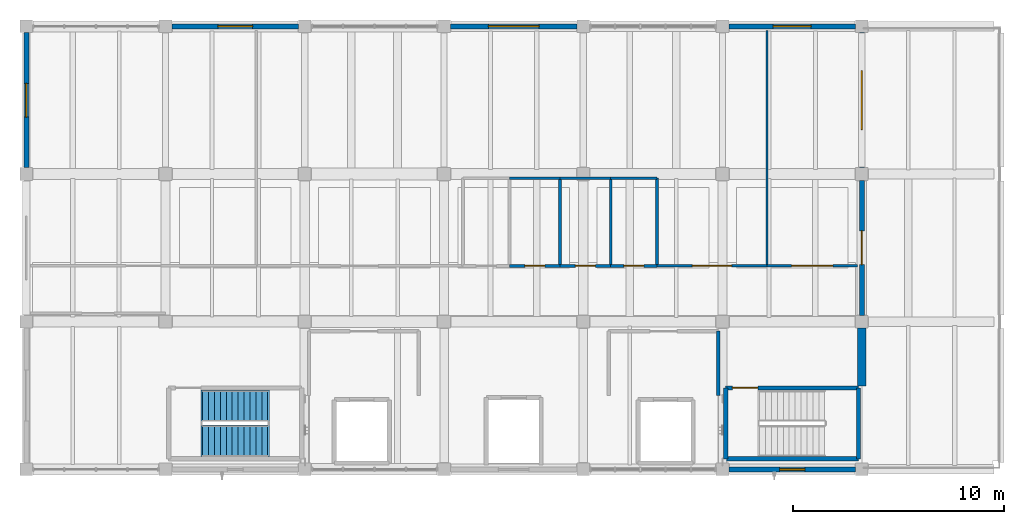
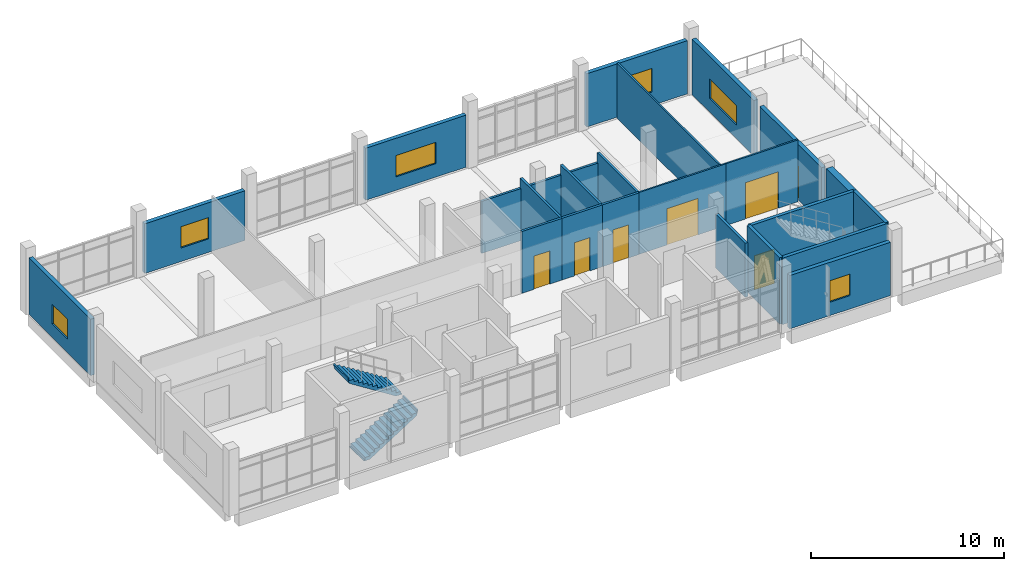
# One storey, part 10 of 14: 25 walls, 7 doors, 6 windows, 2 stair flights, 13 openings, 1 element without a shape of its own.
"""IFC4 building model written with IfcOpenShell, lengths in metres."""

from ifc_helpers import new_model, si_unit, direction, frame, frame_2d, origin, place, context, subcontext, project, spatial, polyline, rectangle, outline, extrude, material, layer, layer_set, type_object, element, fill, aggregate, save


model = new_model("IFC4")

# Units and contexts
model_context = context("Model", 3, precision=1e-05, world=origin(), true_north=direction((0.0, 1.0)))
body_context = subcontext(model_context, "Body", "Model", "MODEL_VIEW")
ifc_project = project(units=[si_unit("LENGTHUNIT", "METRE"), si_unit("AREAUNIT", "SQUARE_METRE"), si_unit("VOLUMEUNIT", "CUBIC_METRE"), si_unit("PLANEANGLEUNIT", "RADIAN"), si_unit("MASSUNIT", "GRAM", prefix="KILO")], contexts=[model_context])

# Site, building, storey
site_placement = place(None, origin())
site = spatial("IfcSite", under=ifc_project, at=site_placement, CompositionType="ELEMENT")
building_placement = place(site_placement, origin())
building = spatial("IfcBuilding", under=site, at=building_placement, Name="Ciguamira Faculty of Natural Sciences", CompositionType="ELEMENT")
storey_placement = place(building_placement, frame((0.0, 0.0, 29.39990234375)))
storey = spatial("IfcBuildingStorey", under=building, at=storey_placement, Name="L07", CompositionType="ELEMENT", Elevation=29.39990234375)

# Wall, opening, window
ifc_material_1 = material(Name="Precast concrete C40/50", Category="concrete")
ifc_layer_1 = layer(ifc_material_1, 0.239990234375, Name="Precast concrete C40/50")
ifc_layer_set_1 = layer_set([ifc_layer_1], Name="Precast concrete C40/50")
wall_type_1 = type_object("IfcWallType", Name="ExtWall_EW-02_240", PredefinedType="SOLIDWALL", material=ifc_layer_set_1)
wall_1_placement = place(storey_placement, frame((97.199951171875, 94.0, 0.0), z_axis=(0.0, 0.0, 1.0), x_axis=(1.0, 0.0, 0.0)))
wall_1 = element("IfcWall", 1, at=wall_1_placement, inside=storey, type_object=wall_type_1, Name="L07 exterior wall 0363", PredefinedType="SOLIDWALL", context=body_context, shape_type="SweptSolid", body=[
    extrude(rectangle(XDim=6.0, YDim=0.239990234375, at=frame_2d((3.0, 0.0))), origin(), (0.0, 0.0, 1.0), 3.364990234375),
])
opening_1_placement = place(wall_1_placement, frame((2.39990234375, 0.0, 0.85009765625)))
opening_1 = element("IfcOpeningElement", 2, at=opening_1_placement, cuts=wall_1, Name="Opening WT-01", PredefinedType="OPENING", context=body_context, shape_type="SweptSolid", body=[
    extrude(rectangle(XDim=1.199951171875, YDim=1.35009765625, at=frame_2d((0.60009765625, 0.675048828125))), frame((0.0, 0.1298828125, 0.0), z_axis=(0.0, -1.0, 0.0), x_axis=(1.0, 0.0, 0.0)), (0.0, 0.0, 1.0), 0.260009765625),
])
ifc_material_2 = material(Name="Hurricane laminated solar glass", Category="glass")
window_type_1 = type_object("IfcWindowType", Name="Window_WT-01_1200x1350", PartitioningType="DOUBLE_PANEL_VERTICAL", PredefinedType="WINDOW", material=ifc_material_2)
window_1_placement = place(opening_1_placement, origin())
window_1 = element("IfcWindow", 3, at=window_1_placement, inside=storey, type_object=window_type_1, Name="L07 facade window 0252", OverallHeight=1.35009765625, OverallWidth=1.199951171875, PartitioningType="SINGLE_PANEL", PredefinedType="WINDOW", context=body_context, shape_type="SweptSolid", body=[
    extrude(rectangle(XDim=1.199951171875, YDim=1.35009765625, at=frame_2d((0.60009765625, 0.675048828125))), frame((0.0, 0.030029296875, 0.0), z_axis=(0.0, -1.0, 0.0), x_axis=(1.0, 0.0, 0.0)), (0.0, 0.0, 1.0), 0.06005859375),
])
fill(opening_1, window_1)

wall_2_placement = place(storey_placement, frame((70.800048828125, 115.0, 0.0), z_axis=(0.0, 0.0, 1.0), x_axis=(1.0, 0.0, 0.0)))
wall_2 = element("IfcWall", 4, at=wall_2_placement, inside=storey, type_object=wall_type_1, Name="L07 exterior wall 0364", PredefinedType="SOLIDWALL", context=body_context, shape_type="SweptSolid", body=[
    extrude(rectangle(XDim=6.0, YDim=0.239990234375, at=frame_2d((3.0, 0.0))), origin(), (0.0, 0.0, 1.0), 3.135009765625),
])
opening_2_placement = place(wall_2_placement, frame((2.175048828125, 0.0, 0.85009765625)))
opening_2 = element("IfcOpeningElement", 5, at=opening_2_placement, cuts=wall_2, Name="Opening WT-04", PredefinedType="OPENING", context=body_context, shape_type="SweptSolid", body=[
    extrude(rectangle(XDim=1.64990234375, YDim=1.35009765625, at=frame_2d((0.824951171875, 0.675048828125))), frame((0.0, 0.1298828125, 0.0), z_axis=(0.0, -1.0, 0.0), x_axis=(1.0, 0.0, 0.0)), (0.0, 0.0, 1.0), 0.260009765625),
])
window_type_2 = type_object("IfcWindowType", Name="Window_WT-04_1650x1350", PartitioningType="DOUBLE_PANEL_VERTICAL", PredefinedType="WINDOW", material=ifc_material_2)
window_2_placement = place(opening_2_placement, origin())
window_2 = element("IfcWindow", 6, at=window_2_placement, inside=storey, type_object=window_type_2, Name="L07 facade window 0253", OverallHeight=1.35009765625, OverallWidth=1.64990234375, PartitioningType="SINGLE_PANEL", PredefinedType="WINDOW", context=body_context, shape_type="SweptSolid", body=[
    extrude(rectangle(XDim=1.64990234375, YDim=1.35009765625, at=frame_2d((0.824951171875, 0.675048828125))), frame((0.0, 0.030029296875, 0.0), z_axis=(0.0, -1.0, 0.0), x_axis=(1.0, 0.0, 0.0)), (0.0, 0.0, 1.0), 0.06005859375),
])
fill(opening_2, window_2)

wall_3_placement = place(storey_placement, frame((84.0, 115.0, 0.0), z_axis=(0.0, 0.0, 1.0), x_axis=(1.0, 0.0, 0.0)))
wall_3 = element("IfcWall", 7, at=wall_3_placement, inside=storey, type_object=wall_type_1, Name="L07 exterior wall 0365", PredefinedType="SOLIDWALL", context=body_context, shape_type="SweptSolid", body=[
    extrude(rectangle(XDim=6.0, YDim=0.239990234375, at=frame_2d((3.0, 0.0))), origin(), (0.0, 0.0, 1.0), 3.28515625),
])
opening_3_placement = place(wall_3_placement, frame((1.800048828125, 0.0, 0.85009765625)))
opening_3 = element("IfcOpeningElement", 8, at=opening_3_placement, cuts=wall_3, Name="Opening WT-07", PredefinedType="OPENING", context=body_context, shape_type="SweptSolid", body=[
    extrude(rectangle(XDim=2.39990234375, YDim=1.35009765625, at=frame_2d((1.199951171875, 0.675048828125))), frame((0.0, 0.1298828125, 0.0), z_axis=(0.0, -1.0, 0.0), x_axis=(1.0, 0.0, 0.0)), (0.0, 0.0, 1.0), 0.260009765625),
])
window_type_3 = type_object("IfcWindowType", Name="Window_WT-07_2400x1350", PartitioningType="DOUBLE_PANEL_VERTICAL", PredefinedType="WINDOW", material=ifc_material_2)
window_3_placement = place(opening_3_placement, origin())
window_3 = element("IfcWindow", 9, at=window_3_placement, inside=storey, type_object=window_type_3, Name="L07 facade window 0254", OverallHeight=1.35009765625, OverallWidth=2.39990234375, PartitioningType="SINGLE_PANEL", PredefinedType="WINDOW", context=body_context, shape_type="SweptSolid", body=[
    extrude(rectangle(XDim=2.39990234375, YDim=1.35009765625, at=frame_2d((1.199951171875, 0.675048828125))), frame((0.0, 0.030029296875, 0.0), z_axis=(0.0, -1.0, 0.0), x_axis=(1.0, 0.0, 0.0)), (0.0, 0.0, 1.0), 0.06005859375),
])
fill(opening_3, window_3)

wall_4_placement = place(storey_placement, frame((97.199951171875, 115.0, 0.0), z_axis=(0.0, 0.0, 1.0), x_axis=(1.0, 0.0, 0.0)))
wall_4 = element("IfcWall", 10, at=wall_4_placement, inside=storey, type_object=wall_type_1, Name="L07 exterior wall 0366", PredefinedType="SOLIDWALL", context=body_context, shape_type="SweptSolid", body=[
    extrude(rectangle(XDim=6.0, YDim=0.239990234375, at=frame_2d((3.0, 0.0))), origin(), (0.0, 0.0, 1.0), 3.364990234375),
])
opening_4_placement = place(wall_4_placement, frame((2.10009765625, 0.0, 0.85009765625)))
opening_4 = element("IfcOpeningElement", 11, at=opening_4_placement, cuts=wall_4, Name="Opening WT-10", PredefinedType="OPENING", context=body_context, shape_type="SweptSolid", body=[
    extrude(rectangle(XDim=1.800048828125, YDim=1.5, at=frame_2d((0.89990234375, 0.75))), frame((0.0, 0.1298828125, 0.0), z_axis=(0.0, -1.0, 0.0), x_axis=(1.0, 0.0, 0.0)), (0.0, 0.0, 1.0), 0.260009765625),
])
window_type_4 = type_object("IfcWindowType", Name="Window_WT-10_1800x1500", PartitioningType="DOUBLE_PANEL_VERTICAL", PredefinedType="WINDOW", material=ifc_material_2)
window_4_placement = place(opening_4_placement, origin())
window_4 = element("IfcWindow", 12, at=window_4_placement, inside=storey, type_object=window_type_4, Name="L07 facade window 0255", OverallHeight=1.5, OverallWidth=1.800048828125, PartitioningType="SINGLE_PANEL", PredefinedType="WINDOW", context=body_context, shape_type="SweptSolid", body=[
    extrude(rectangle(XDim=1.800048828125, YDim=1.5, at=frame_2d((0.89990234375, 0.75))), frame((0.0, 0.030029296875, 0.0), z_axis=(0.0, -1.0, 0.0), x_axis=(1.0, 0.0, 0.0)), (0.0, 0.0, 1.0), 0.06005859375),
])
fill(opening_4, window_4)

wall_5_placement = place(storey_placement, frame((63.89990234375, 108.300048828125, 0.0), z_axis=(0.0, 0.0, 1.0), x_axis=(0.0, 1.0, 0.0)))
wall_5 = element("IfcWall", 13, at=wall_5_placement, inside=storey, type_object=wall_type_1, Name="L07 exterior wall 0369", PredefinedType="SOLIDWALL", context=body_context, shape_type="SweptSolid", body=[
    extrude(rectangle(XDim=6.39990234375, YDim=0.239990234375, at=frame_2d((3.199951171875, 0.0))), origin(), (0.0, 0.0, 1.0), 3.565185546875),
])
opening_5_placement = place(wall_5_placement, frame((2.39990234375, 0.0, 0.85009765625)))
opening_5 = element("IfcOpeningElement", 14, at=opening_5_placement, cuts=wall_5, Name="Opening WT-16", PredefinedType="OPENING", context=body_context, shape_type="SweptSolid", body=[
    extrude(rectangle(XDim=1.60009765625, YDim=1.25, at=frame_2d((0.800048828125, 0.625))), frame((0.0, 0.1298828125, 0.0), z_axis=(0.0, -1.0, 0.0), x_axis=(1.0, 0.0, 0.0)), (0.0, 0.0, 1.0), 0.260009765625),
])
window_type_5 = type_object("IfcWindowType", Name="Window_WT-16_1600x1250", PartitioningType="DOUBLE_PANEL_VERTICAL", PredefinedType="WINDOW", material=ifc_material_2)
window_5_placement = place(opening_5_placement, origin())
window_5 = element("IfcWindow", 15, at=window_5_placement, inside=storey, type_object=window_type_5, Name="L07 facade window 0258", OverallHeight=1.25, OverallWidth=1.60009765625, PartitioningType="SINGLE_PANEL", PredefinedType="WINDOW", context=body_context, shape_type="SweptSolid", body=[
    extrude(rectangle(XDim=1.60009765625, YDim=1.25, at=frame_2d((0.800048828125, 0.625))), frame((0.0, 0.030029296875, 0.0), z_axis=(0.0, -1.0, 0.0), x_axis=(1.0, 0.0, 0.0)), (0.0, 0.0, 1.0), 0.06005859375),
])
fill(opening_5, window_5)

# Wall, opening, door
wall_6_placement = place(storey_placement, frame((103.5, 101.300048828125, 0.0), z_axis=(0.0, 0.0, 1.0), x_axis=(0.0, 1.0, 0.0)))
wall_6 = element("IfcWall", 16, at=wall_6_placement, inside=storey, type_object=wall_type_1, Name="L07 exterior wall 0371", PredefinedType="SOLIDWALL", context=body_context, shape_type="SweptSolid", body=[
    extrude(rectangle(XDim=6.39990234375, YDim=0.239990234375, at=frame_2d((3.199951171875, 0.0))), origin(), (0.0, 0.0, 1.0), 3.505126953125),
])
opening_6_placement = place(wall_6_placement, frame((2.39990234375, 0.0, 0.0)))
opening_6 = element("IfcOpeningElement", 17, at=opening_6_placement, cuts=wall_6, Name="Opening ED-05", PredefinedType="OPENING", context=body_context, shape_type="SweptSolid", body=[
    extrude(rectangle(XDim=1.60009765625, YDim=2.14990234375, at=frame_2d((0.800048828125, 1.074951171875))), frame((0.0, 0.1298828125, 0.0), z_axis=(0.0, -1.0, 0.0), x_axis=(1.0, 0.0, 0.0)), (0.0, 0.0, 1.0), 0.260009765625),
])
ifc_material_3 = material(Name="Terrace glazed double access door")
door_type_1 = type_object("IfcDoorType", Name="ExtDoor_ED-05_1600x2150", OperationType="NOTDEFINED", PredefinedType="DOOR", material=ifc_material_3)
door_1_placement = place(opening_6_placement, frame((1.60009765625, 0.0, 0.0), z_axis=(0.0, 0.0, 1.0), x_axis=(-1.0, 0.0, 0.0)))
door_1 = element("IfcDoor", 18, at=door_1_placement, inside=storey, type_object=door_type_1, Name="Windward Caribbean Loggia Terrace Door", OperationType="DOUBLE_DOOR_SINGLE_SWING", OverallHeight=2.14990234375, OverallWidth=1.60009765625, PredefinedType="DOOR", context=body_context, shape_type="SweptSolid", body=[
    extrude(rectangle(XDim=1.60009765625, YDim=2.14990234375, at=frame_2d((0.800048828125, 1.074951171875))), frame((0.0, 0.02490234375, 0.0), z_axis=(0.0, -1.0, 0.0), x_axis=(1.0, 0.0, 0.0)), (0.0, 0.0, 1.0), 0.050048828125),
])
fill(opening_6, door_1)

# Wall, opening, window
wall_7_placement = place(storey_placement, frame((103.5, 108.300048828125, 0.0), z_axis=(0.0, 0.0, 1.0), x_axis=(0.0, 1.0, 0.0)))
wall_7 = element("IfcWall", 19, at=wall_7_placement, inside=storey, type_object=wall_type_1, Name="L07 exterior wall 0372", PredefinedType="SOLIDWALL", context=body_context, shape_type="SweptSolid", body=[
    extrude(rectangle(XDim=6.39990234375, YDim=0.239990234375, at=frame_2d((3.199951171875, 0.0))), origin(), (0.0, 0.0, 1.0), 3.505126953125),
])
opening_7_placement = place(wall_7_placement, frame((1.800048828125, 0.0, 0.85009765625)))
opening_7 = element("IfcOpeningElement", 20, at=opening_7_placement, cuts=wall_7, Name="Opening WT-20", PredefinedType="OPENING", context=body_context, shape_type="SweptSolid", body=[
    extrude(rectangle(XDim=2.800048828125, YDim=1.25, at=frame_2d((1.39990234375, 0.625))), frame((0.0, 0.1298828125, 0.0), z_axis=(0.0, -1.0, 0.0), x_axis=(1.0, 0.0, 0.0)), (0.0, 0.0, 1.0), 0.260009765625),
])
window_type_6 = type_object("IfcWindowType", Name="Window_WT-20_2800x1250", PartitioningType="DOUBLE_PANEL_VERTICAL", PredefinedType="WINDOW", material=ifc_material_2)
window_6_placement = place(opening_7_placement, origin())
window_6 = element("IfcWindow", 21, at=window_6_placement, inside=storey, type_object=window_type_6, Name="L07 facade window 0259", OverallHeight=1.25, OverallWidth=2.800048828125, PartitioningType="SINGLE_PANEL", PredefinedType="WINDOW", context=body_context, shape_type="SweptSolid", body=[
    extrude(rectangle(XDim=2.800048828125, YDim=1.25, at=frame_2d((1.39990234375, 0.625))), frame((0.0, 0.030029296875, 0.0), z_axis=(0.0, -1.0, 0.0), x_axis=(1.0, 0.0, 0.0)), (0.0, 0.0, 1.0), 0.06005859375),
])
fill(opening_7, window_6)

# Walls
ifc_material_4 = material(Name="Concrete C40/50", Category="concrete")
ifc_layer_2 = layer(ifc_material_4, 0.39990234375, Name="Concrete C40/50")
ifc_layer_set_2 = layer_set([ifc_layer_2], Name="Concrete C40/50")
wall_type_2 = type_object("IfcWallType", Name="ExtWall_RW-02_400", PredefinedType="SHEAR", material=ifc_layer_set_2)
wall_8_placement = place(storey_placement, frame((103.5, 97.9599609375, 0.0), z_axis=(0.0, 0.0, 1.0), x_axis=(0.0, 1.0, 0.0)))
element("IfcWall", 22, at=wall_8_placement, inside=storey, type_object=wall_type_2, Name="L07 exterior wall 0370", PredefinedType="SHEAR", context=body_context, shape_type="SweptSolid", body=[
    extrude(rectangle(XDim=2.739990234375, YDim=0.39990234375, at=frame_2d((1.3701171875, 0.0))), origin(), (0.0, 0.0, 1.0), 3.85009765625),
])
ifc_layer_3 = layer(ifc_material_4, 0.199951171875, Name="Concrete C40/50")
ifc_layer_set_3 = layer_set([ifc_layer_3], Name="Concrete C40/50")
wall_type_3 = type_object("IfcWallType", Name="IntWall_CW-S20_200", PredefinedType="SHEAR", material=ifc_layer_set_3)
wall_9_placement = place(storey_placement, frame((97.050048828125, 94.5, 0.0), z_axis=(0.0, 0.0, 1.0), x_axis=(1.0, 0.0, 0.0)))
element("IfcWall", 23, at=wall_9_placement, inside=storey, type_object=wall_type_3, Name="L07 ST-T2 core shear wall south", PredefinedType="SHEAR", context=body_context, shape_type="SweptSolid", body=[
    extrude(rectangle(XDim=6.300048828125, YDim=0.199951171875, at=frame_2d((3.14990234375, 0.0))), origin(), (0.0, 0.0, 1.0), 4.2001953125),
])

# Wall, opening, door
wall_10_placement = place(storey_placement, frame((97.050048828125, 97.860107421875, 0.0), z_axis=(0.0, 0.0, 1.0), x_axis=(1.0, 0.0, 0.0)))
wall_10 = element("IfcWall", 24, at=wall_10_placement, inside=storey, type_object=wall_type_3, Name="L07 ST-T2 core shear wall north", PredefinedType="SHEAR", context=body_context, shape_type="SweptSolid", body=[
    extrude(rectangle(XDim=6.300048828125, YDim=0.199951171875, at=frame_2d((3.14990234375, 0.0))), origin(), (0.0, 0.0, 1.0), 4.2001953125),
])
opening_8_placement = place(wall_10_placement, frame((0.320068359375, 0.0, 0.0)))
opening_8 = element("IfcOpeningElement", 25, at=opening_8_placement, cuts=wall_10, Name="Opening ID-14", PredefinedType="OPENING", context=body_context, shape_type="SweptSolid", body=[
    extrude(rectangle(XDim=1.199951171875, YDim=2.14990234375, at=frame_2d((0.60009765625, 1.074951171875))), frame((0.0, 0.10986328125, 0.0), z_axis=(0.0, -1.0, 0.0), x_axis=(1.0, 0.0, 0.0)), (0.0, 0.0, 1.0), 0.219970703125),
])
ifc_material_5 = material(Name="Protected exit stair fire door")
door_type_2 = type_object("IfcDoorType", Name="IntDoor_ID-14_1200x2150", OperationType="NOTDEFINED", PredefinedType="DOOR", material=ifc_material_5)
door_2_placement = place(opening_8_placement, frame((1.199951171875, 0.0, 0.0), z_axis=(0.0, 0.0, 1.0), x_axis=(-1.0, 0.0, 0.0)))
door_2 = element("IfcDoor", 26, at=door_2_placement, inside=storey, type_object=door_type_2, Name="L07 ST-T2 exit stair fire door", OperationType="SINGLE_SWING_RIGHT", OverallHeight=2.14990234375, OverallWidth=1.199951171875, PredefinedType="DOOR", context=body_context, shape_type="SweptSolid", body=[
    extrude(rectangle(XDim=1.199951171875, YDim=2.14990234375, at=frame_2d((0.60009765625, 1.074951171875))), frame((0.0, 0.02490234375, 0.0), z_axis=(0.0, -1.0, 0.0), x_axis=(1.0, 0.0, 0.0)), (0.0, 0.0, 1.0), 0.050048828125),
])
fill(opening_8, door_2)

# Walls
for number, where, z_axis, x_axis, name in (
    (27, (97.050048828125, 94.5, 0.0), (0.0, 0.0, 1.0), (0.0, 1.0, 0.0), "L07 ST-T2 core shear wall west"),
    (28, (103.35009765625, 94.5, 0.0), (0.0, 0.0, 1.0), (0.0, 1.0, 0.0), "L07 ST-T2 core shear wall east"),
):
    element("IfcWall", number, at=place(storey_placement, frame(where, z_axis=z_axis, x_axis=x_axis)), inside=storey, type_object=wall_type_3, Name=name, PredefinedType="SHEAR", context=body_context, shape_type="SweptSolid", body=[
        extrude(rectangle(XDim=3.360107421875, YDim=0.199951171875, at=frame_2d((1.68017578125, 0.0))), origin(), (0.0, 0.0, 1.0), 4.2001953125),
    ])

# Wall, opening, door
ifc_material_6 = material(Name="Fire-rated gypsum partition")
ifc_layer_4 = layer(ifc_material_6, 0.10009765625, Name="Fire-rated gypsum partition")
ifc_layer_set_4 = layer_set([ifc_layer_4], Name="Fire-rated gypsum partition")
wall_type_4 = type_object("IfcWallType", Name="IntWall_IW-A10_100", PredefinedType="PARTITIONING", material=ifc_layer_set_4)
wall_11_placement = place(storey_placement, frame((93.800048828125, 103.64990234375, 0.0), z_axis=(0.0, 0.0, 1.0), x_axis=(1.0, 0.0, 0.0)))
wall_11 = element("IfcWall", 29, at=wall_11_placement, inside=storey, type_object=wall_type_4, Name="L07 Bioinformatics Computing Cluster Lab partition south", PredefinedType="PARTITIONING", context=body_context, shape_type="SweptSolid", body=[
    extrude(rectangle(XDim=5.199951171875, YDim=0.10009765625, at=frame_2d((2.60009765625, 0.0))), origin(), (0.0, 0.0, 1.0), 3.900146484375),
])
opening_9_placement = place(wall_11_placement, frame((1.675048828125, 0.0, 0.0)))
opening_9 = element("IfcOpeningElement", 30, at=opening_9_placement, cuts=wall_11, Name="Opening ID-12", PredefinedType="OPENING", context=body_context, shape_type="SweptSolid", body=[
    extrude(rectangle(XDim=1.85009765625, YDim=2.300048828125, at=frame_2d((0.925048828125, 1.14990234375))), frame((0.0, 0.06005859375, 0.0), z_axis=(0.0, -1.0, 0.0), x_axis=(1.0, 0.0, 0.0)), (0.0, 0.0, 1.0), 0.1201171875),
])
ifc_material_7 = material(Name="Lecture auditorium acoustic double door")
door_type_3 = type_object("IfcDoorType", Name="IntDoor_ID-12_1850x2300", OperationType="NOTDEFINED", PredefinedType="DOOR", material=ifc_material_7)
door_3_placement = place(opening_9_placement, origin())
door_3 = element("IfcDoor", 31, at=door_3_placement, inside=storey, type_object=door_type_3, Name="L07 Bioinformatics Computing Cluster Lab door", OperationType="SINGLE_SWING_RIGHT", OverallHeight=2.300048828125, OverallWidth=1.85009765625, PredefinedType="DOOR", context=body_context, shape_type="SweptSolid", body=[
    extrude(rectangle(XDim=1.85009765625, YDim=2.300048828125, at=frame_2d((0.925048828125, 1.14990234375))), frame((0.0, 0.02490234375, 0.0), z_axis=(0.0, -1.0, 0.0), x_axis=(1.0, 0.0, 0.0)), (0.0, 0.0, 1.0), 0.050048828125),
])
fill(opening_9, door_3)

# Wall
wall_12_placement = place(storey_placement, frame((99.0, 103.64990234375, 0.0), z_axis=(0.0, 0.0, 1.0), x_axis=(0.0, 1.0, 0.0)))
element("IfcWall", 32, at=wall_12_placement, inside=storey, type_object=wall_type_4, Name="L07 Bioinformatics Computing Cluster Lab partition east", PredefinedType="PARTITIONING", context=body_context, shape_type="SweptSolid", body=[
    extrude(rectangle(XDim=11.150146484375, YDim=0.10009765625, at=frame_2d((5.5751953125, 0.0))), origin(), (0.0, 0.0, 1.0), 3.48291015625),
])

# Wall, opening, door
wall_13_placement = place(storey_placement, frame((99.0, 103.64990234375, 0.0), z_axis=(0.0, 0.0, 1.0), x_axis=(1.0, 0.0, 0.0)))
wall_13 = element("IfcWall", 33, at=wall_13_placement, inside=storey, type_object=wall_type_4, Name="L07 Genomics Faculty Staff Offices partition south", PredefinedType="PARTITIONING", context=body_context, shape_type="SweptSolid", body=[
    extrude(rectangle(XDim=4.300048828125, YDim=0.10009765625, at=frame_2d((2.14990234375, 0.0))), origin(), (0.0, 0.0, 1.0), 3.900146484375),
])
opening_10_placement = place(wall_13_placement, frame((1.175048828125, 0.0, 0.0)))
opening_10 = element("IfcOpeningElement", 34, at=opening_10_placement, cuts=wall_13, Name="Opening ID-13", PredefinedType="OPENING", context=body_context, shape_type="SweptSolid", body=[
    extrude(rectangle(XDim=1.949951171875, YDim=2.300048828125, at=frame_2d((0.97509765625, 1.14990234375))), frame((0.0, 0.06005859375, 0.0), z_axis=(0.0, -1.0, 0.0), x_axis=(1.0, 0.0, 0.0)), (0.0, 0.0, 1.0), 0.1201171875),
])
ifc_material_8 = material(Name="Atrium concourse double fire door")
door_type_4 = type_object("IfcDoorType", Name="IntDoor_ID-13_1950x2300", OperationType="NOTDEFINED", PredefinedType="DOOR", material=ifc_material_8)
door_4_placement = place(opening_10_placement, origin())
door_4 = element("IfcDoor", 35, at=door_4_placement, inside=storey, type_object=door_type_4, Name="L07 Genomics Faculty Staff Offices door", OperationType="SINGLE_SWING_LEFT", OverallHeight=2.300048828125, OverallWidth=1.949951171875, PredefinedType="DOOR", context=body_context, shape_type="SweptSolid", body=[
    extrude(rectangle(XDim=1.949951171875, YDim=2.300048828125, at=frame_2d((0.97509765625, 1.14990234375))), frame((0.0, 0.02490234375, 0.0), z_axis=(0.0, -1.0, 0.0), x_axis=(1.0, 0.0, 0.0)), (0.0, 0.0, 1.0), 0.050048828125),
])
fill(opening_10, door_4)

# Wall
ifc_material_9 = material(Name="Fire-rated blockwork wall", Category="masonry")
ifc_layer_5 = layer(ifc_material_9, 0.159912109375, Name="Fire-rated blockwork wall")
ifc_layer_set_5 = layer_set([ifc_layer_5], Name="Fire-rated blockwork wall")
wall_type_5 = type_object("IfcWallType", Name="IntWall_IW-F16_160", PredefinedType="SOLIDWALL", material=ifc_layer_set_5)
wall_14_placement = place(storey_placement, frame((96.699951171875, 97.5, 0.0), z_axis=(0.0, 0.0, 1.0), x_axis=(0.0, 1.0, 0.0)))
element("IfcWall", 36, at=wall_14_placement, inside=storey, type_object=wall_type_5, Name="L07 Firefighting Lift Lobby 2 partition east", PredefinedType="SOLIDWALL", context=body_context, shape_type="SweptSolid", body=[
    extrude(rectangle(XDim=3.050048828125, YDim=0.159912109375, at=frame_2d((1.52490234375, 0.0))), origin(), (0.0, 0.0, 1.0), 3.405029296875),
])

# Wall, opening, door
ifc_material_10 = material(Name="Moisture-resistant service chase wall")
ifc_layer_6 = layer(ifc_material_10, 0.139892578125, Name="Moisture-resistant service chase wall")
ifc_layer_set_6 = layer_set([ifc_layer_6], Name="Moisture-resistant service chase wall")
wall_type_6 = type_object("IfcWallType", Name="IntWall_IW-P14_140", PredefinedType="PLUMBINGWALL", material=ifc_layer_set_6)
wall_15_placement = place(storey_placement, frame((86.800048828125, 103.64990234375, 0.0), z_axis=(0.0, 0.0, 1.0), x_axis=(1.0, 0.0, 0.0)))
wall_15 = element("IfcWall", 37, at=wall_15_placement, inside=storey, type_object=wall_type_6, Name="L07 Public Restroom Female partition south", PredefinedType="PLUMBINGWALL", context=body_context, shape_type="SweptSolid", body=[
    extrude(rectangle(XDim=2.39990234375, YDim=0.139892578125, at=frame_2d((1.199951171875, 0.0))), origin(), (0.0, 0.0, 1.0), 3.900146484375),
])
opening_11_placement = place(wall_15_placement, frame((0.72509765625, 0.0, 0.0)))
opening_11 = element("IfcOpeningElement", 38, at=opening_11_placement, cuts=wall_15, Name="Opening ID-02", PredefinedType="OPENING", context=body_context, shape_type="SweptSolid", body=[
    extrude(rectangle(XDim=0.949951171875, YDim=2.10009765625, at=frame_2d((0.47509765625, 1.050048828125))), frame((0.0, 0.079833984375, 0.0), z_axis=(0.0, -1.0, 0.0), x_axis=(1.0, 0.0, 0.0)), (0.0, 0.0, 1.0), 0.159912109375),
])
ifc_material_11 = material(Name="Accessible WC outward-clear door")
door_type_5 = type_object("IfcDoorType", Name="IntDoor_ID-02_950x2100", OperationType="NOTDEFINED", PredefinedType="DOOR", material=ifc_material_11)
door_5_placement = place(opening_11_placement, origin())
door_5 = element("IfcDoor", 39, at=door_5_placement, inside=storey, type_object=door_type_5, Name="L07 Public Restroom Female door", OperationType="SINGLE_SWING_LEFT", OverallHeight=2.10009765625, OverallWidth=0.949951171875, PredefinedType="DOOR", context=body_context, shape_type="SweptSolid", body=[
    extrude(rectangle(XDim=0.949951171875, YDim=2.10009765625, at=frame_2d((0.47509765625, 1.050048828125))), frame((0.0, 0.02490234375, 0.0), z_axis=(0.0, -1.0, 0.0), x_axis=(1.0, 0.0, 0.0)), (0.0, 0.0, 1.0), 0.050048828125),
])
fill(opening_11, door_5)

# Walls
wall_16_placement = place(storey_placement, frame((86.800048828125, 107.800048828125, 0.0), z_axis=(0.0, 0.0, 1.0), x_axis=(1.0, 0.0, 0.0)))
element("IfcWall", 40, at=wall_16_placement, inside=storey, type_object=wall_type_6, Name="L07 Public Restroom Female partition north", PredefinedType="PLUMBINGWALL", context=body_context, shape_type="SweptSolid", body=[
    extrude(rectangle(XDim=2.39990234375, YDim=0.139892578125, at=frame_2d((1.199951171875, 0.0))), origin(), (0.0, 0.0, 1.0), 3.28515625),
])
wall_17_placement = place(storey_placement, frame((89.199951171875, 103.64990234375, 0.0), z_axis=(0.0, 0.0, 1.0), x_axis=(0.0, 1.0, 0.0)))
element("IfcWall", 41, at=wall_17_placement, inside=storey, type_object=wall_type_6, Name="L07 Public Restroom Female partition east", PredefinedType="PLUMBINGWALL", context=body_context, shape_type="SweptSolid", body=[
    extrude(rectangle(XDim=4.150146484375, YDim=0.139892578125, at=frame_2d((2.0751953125, 0.0))), origin(), (0.0, 0.0, 1.0), 3.900146484375),
])

# Wall, opening, door
wall_18_placement = place(storey_placement, frame((89.199951171875, 103.64990234375, 0.0), z_axis=(0.0, 0.0, 1.0), x_axis=(1.0, 0.0, 0.0)))
wall_18 = element("IfcWall", 42, at=wall_18_placement, inside=storey, type_object=wall_type_6, Name="L07 Public Restroom Male partition south", PredefinedType="PLUMBINGWALL", context=body_context, shape_type="SweptSolid", body=[
    extrude(rectangle(XDim=2.400146484375, YDim=0.139892578125, at=frame_2d((1.2001953125, 0.0))), origin(), (0.0, 0.0, 1.0), 3.900146484375),
])
opening_12_placement = place(wall_18_placement, frame((0.72509765625, 0.0, 0.0)))
opening_12 = element("IfcOpeningElement", 43, at=opening_12_placement, cuts=wall_18, Name="Opening ID-02", PredefinedType="OPENING", context=body_context, shape_type="SweptSolid", body=[
    extrude(rectangle(XDim=0.949951171875, YDim=2.10009765625, at=frame_2d((0.47509765625, 1.050048828125))), frame((0.0, 0.079833984375, 0.0), z_axis=(0.0, -1.0, 0.0), x_axis=(1.0, 0.0, 0.0)), (0.0, 0.0, 1.0), 0.159912109375),
])
door_6_placement = place(opening_12_placement, origin())
door_6 = element("IfcDoor", 44, at=door_6_placement, inside=storey, type_object=door_type_5, Name="L07 Public Restroom Male door", OperationType="SINGLE_SWING_RIGHT", OverallHeight=2.10009765625, OverallWidth=0.949951171875, PredefinedType="DOOR", context=body_context, shape_type="SweptSolid", body=[
    extrude(rectangle(XDim=0.949951171875, YDim=2.10009765625, at=frame_2d((0.47509765625, 1.050048828125))), frame((0.0, 0.02490234375, 0.0), z_axis=(0.0, -1.0, 0.0), x_axis=(1.0, 0.0, 0.0)), (0.0, 0.0, 1.0), 0.050048828125),
])
fill(opening_12, door_6)

# Walls
wall_19_placement = place(storey_placement, frame((89.199951171875, 107.800048828125, 0.0), z_axis=(0.0, 0.0, 1.0), x_axis=(1.0, 0.0, 0.0)))
element("IfcWall", 45, at=wall_19_placement, inside=storey, type_object=wall_type_6, Name="L07 Public Restroom Male partition north", PredefinedType="PLUMBINGWALL", context=body_context, shape_type="SweptSolid", body=[
    extrude(rectangle(XDim=2.400146484375, YDim=0.139892578125, at=frame_2d((1.2001953125, 0.0))), origin(), (0.0, 0.0, 1.0), 3.28515625),
])
wall_20_placement = place(storey_placement, frame((91.60009765625, 103.64990234375, 0.0), z_axis=(0.0, 0.0, 1.0), x_axis=(0.0, 1.0, 0.0)))
element("IfcWall", 46, at=wall_20_placement, inside=storey, type_object=wall_type_6, Name="L07 Public Restroom Male partition east", PredefinedType="PLUMBINGWALL", context=body_context, shape_type="SweptSolid", body=[
    extrude(rectangle(XDim=4.150146484375, YDim=0.139892578125, at=frame_2d((2.0751953125, 0.0))), origin(), (0.0, 0.0, 1.0), 3.900146484375),
])

# Wall, opening, door
wall_21_placement = place(storey_placement, frame((91.60009765625, 103.64990234375, 0.0), z_axis=(0.0, 0.0, 1.0), x_axis=(1.0, 0.0, 0.0)))
wall_21 = element("IfcWall", 47, at=wall_21_placement, inside=storey, type_object=wall_type_6, Name="L07 Staff Restroom partition south", PredefinedType="PLUMBINGWALL", context=body_context, shape_type="SweptSolid", body=[
    extrude(rectangle(XDim=2.199951171875, YDim=0.139892578125, at=frame_2d((1.10009765625, 0.0))), origin(), (0.0, 0.0, 1.0), 3.900146484375),
])
opening_13_placement = place(wall_21_placement, frame((0.625, 0.0, 0.0)))
opening_13 = element("IfcOpeningElement", 48, at=opening_13_placement, cuts=wall_21, Name="Opening ID-02", PredefinedType="OPENING", context=body_context, shape_type="SweptSolid", body=[
    extrude(rectangle(XDim=0.949951171875, YDim=2.10009765625, at=frame_2d((0.47509765625, 1.050048828125))), frame((0.0, 0.079833984375, 0.0), z_axis=(0.0, -1.0, 0.0), x_axis=(1.0, 0.0, 0.0)), (0.0, 0.0, 1.0), 0.159912109375),
])
door_7_placement = place(opening_13_placement, origin())
door_7 = element("IfcDoor", 49, at=door_7_placement, inside=storey, type_object=door_type_5, Name="L07 Staff Restroom door", OperationType="SINGLE_SWING_LEFT", OverallHeight=2.10009765625, OverallWidth=0.949951171875, PredefinedType="DOOR", context=body_context, shape_type="SweptSolid", body=[
    extrude(rectangle(XDim=0.949951171875, YDim=2.10009765625, at=frame_2d((0.47509765625, 1.050048828125))), frame((0.0, 0.02490234375, 0.0), z_axis=(0.0, -1.0, 0.0), x_axis=(1.0, 0.0, 0.0)), (0.0, 0.0, 1.0), 0.050048828125),
])
fill(opening_13, door_7)

# Walls
wall_22_placement = place(storey_placement, frame((91.60009765625, 107.800048828125, 0.0), z_axis=(0.0, 0.0, 1.0), x_axis=(1.0, 0.0, 0.0)))
element("IfcWall", 50, at=wall_22_placement, inside=storey, type_object=wall_type_6, Name="L07 Staff Restroom partition north", PredefinedType="PLUMBINGWALL", context=body_context, shape_type="SweptSolid", body=[
    extrude(rectangle(XDim=2.199951171875, YDim=0.139892578125, at=frame_2d((1.10009765625, 0.0))), origin(), (0.0, 0.0, 1.0), 3.28515625),
])
wall_23_placement = place(storey_placement, frame((93.800048828125, 103.64990234375, 0.0), z_axis=(0.0, 0.0, 1.0), x_axis=(0.0, 1.0, 0.0)))
element("IfcWall", 51, at=wall_23_placement, inside=storey, type_object=wall_type_6, Name="L07 Staff Restroom partition east", PredefinedType="PLUMBINGWALL", context=body_context, shape_type="SweptSolid", body=[
    extrude(rectangle(XDim=4.150146484375, YDim=0.139892578125, at=frame_2d((2.0751953125, 0.0))), origin(), (0.0, 0.0, 1.0), 3.900146484375),
])

# Stair, stair flights
stair_type = type_object("IfcStairType", Name="Stair_STR-01", PredefinedType="HALF_TURN_STAIR", material=ifc_material_4)
stair_placement = place(storey_placement, origin())
stair = element("IfcStair", 52, at=stair_placement, inside=storey, type_object=stair_type, Name="L07 Tower West Exit Stair", PredefinedType="HALF_TURN_STAIR")
stair_flight_type = type_object("IfcStairFlightType", Name="StairFlight_SFL-01", PredefinedType="STRAIGHT", material=ifc_material_1)
stair_flight_1_placement = place(storey_placement, frame((72.260009765625, 95.35009765625, 0.0), z_axis=(0.0, 0.0, 1.0), x_axis=(1.0, 0.0, 0.0)))
stair_flight_1 = element("IfcStairFlight", 53, at=stair_flight_1_placement, type_object=stair_flight_type, Name="ST-T1 flight 1", NumberOfRisers=12, NumberOfTreads=11, PredefinedType="STRAIGHT", RiserHeight=0.175, TreadLength=0.28, context=body_context, shape_type="SweptSolid", body=[
    extrude(outline(polyline([(-0.080078125, -0.034912109375), (-0.080078125, 0.0), (0.0, 0.0), (0.0, 0.175048828125), (0.280029296875, 0.175048828125), (0.280029296875, 0.35009765625), (0.56005859375, 0.35009765625), (0.56005859375, 0.52490234375), (0.840087890625, 0.52490234375), (0.840087890625, 0.699951171875), (1.1201171875, 0.699951171875), (1.1201171875, 0.875), (1.39990234375, 0.875), (1.39990234375, 1.050048828125), (1.679931640625, 1.050048828125), (1.679931640625, 1.22509765625), (1.9599609375, 1.22509765625), (1.9599609375, 1.39990234375), (2.239990234375, 1.39990234375), (2.239990234375, 1.574951171875), (2.52001953125, 1.574951171875), (2.52001953125, 1.75), (2.800048828125, 1.75), (2.800048828125, 1.925048828125), (3.080078125, 1.925048828125), (3.080078125, 2.10009765625), (3.16015625, 2.10009765625), (3.16015625, 2.065185546875), (3.080078125, 1.748291015625), (0.28271484375, -0.034912109375), (-0.080078125, -0.034912109375)])), frame((0.0, 0.75, 0.0), z_axis=(0.0, -1.0, 0.0), x_axis=(1.0, 0.0, 0.0)), (0.0, 0.0, 1.0), 1.5),
])
stair_flight_2_placement = place(storey_placement, frame((75.340087890625, 97.010009765625, 2.10009765625), z_axis=(0.0, 0.0, 1.0), x_axis=(-1.0, 0.0, 0.0)))
stair_flight_2 = element("IfcStairFlight", 54, at=stair_flight_2_placement, type_object=stair_flight_type, Name="ST-T1 flight 2", NumberOfRisers=12, NumberOfTreads=11, PredefinedType="STRAIGHT", RiserHeight=0.175, TreadLength=0.28, context=body_context, shape_type="SweptSolid", body=[
    extrude(outline(polyline([(-0.080078125, -0.034912109375), (-0.080078125, 0.0), (0.0, 0.0), (0.0, 0.175048828125), (0.280029296875, 0.175048828125), (0.280029296875, 0.35009765625), (0.56005859375, 0.35009765625), (0.56005859375, 0.52490234375), (0.840087890625, 0.52490234375), (0.840087890625, 0.699951171875), (1.1201171875, 0.699951171875), (1.1201171875, 0.875), (1.39990234375, 0.875), (1.39990234375, 1.050048828125), (1.679931640625, 1.050048828125), (1.679931640625, 1.22509765625), (1.9599609375, 1.22509765625), (1.9599609375, 1.39990234375), (2.239990234375, 1.39990234375), (2.239990234375, 1.574951171875), (2.52001953125, 1.574951171875), (2.52001953125, 1.75), (2.800048828125, 1.75), (2.800048828125, 1.925048828125), (3.080078125, 1.925048828125), (3.080078125, 2.10009765625), (3.16015625, 2.10009765625), (3.16015625, 2.065185546875), (3.080078125, 1.748291015625), (0.28271484375, -0.034912109375), (-0.080078125, -0.034912109375)])), frame((0.0, 0.75, 0.0), z_axis=(0.0, -1.0, 0.0), x_axis=(1.0, 0.0, 0.0)), (0.0, 0.0, 1.0), 1.5),
])
aggregate(stair, [stair_flight_1, stair_flight_2])

save(model, "model.ifc")
